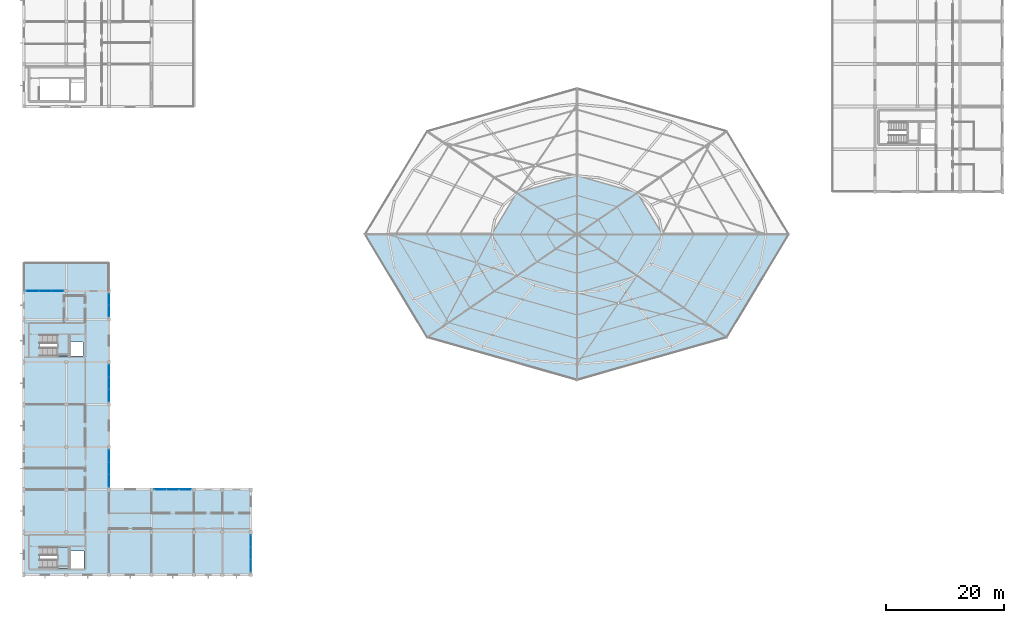
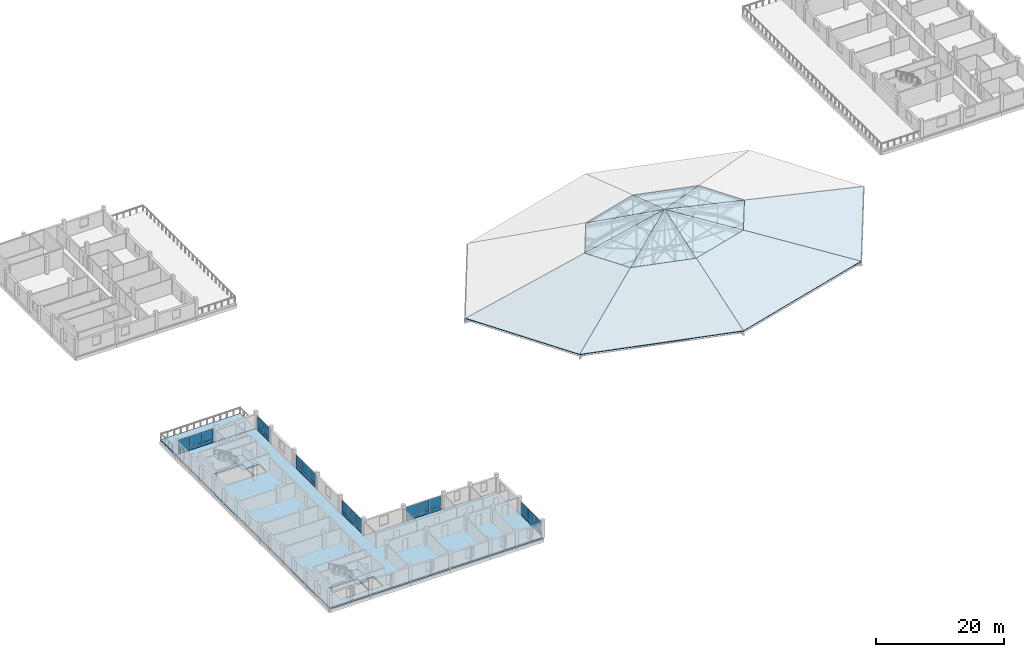
# One storey, part 45 of 66: 34 plates, 16 slabs, 8 elements without a shape of their own.
"""IFC4 building model written with IfcOpenShell, lengths in metres."""

from ifc_helpers import new_model, si_unit, direction, frame, origin, origin_2d, place, context, subcontext, project, spatial, polyline, rectangle, outline, extrude, material, layer, layer_set, type_object, element, aggregate, save


model = new_model("IFC4")

# Units and contexts
model_context = context("Model", 3, precision=1e-05, world=origin(), true_north=direction((0.0, 1.0)))
body_context = subcontext(model_context, "Body", "Model", "MODEL_VIEW")
ifc_project = project(units=[si_unit("LENGTHUNIT", "METRE"), si_unit("AREAUNIT", "SQUARE_METRE"), si_unit("VOLUMEUNIT", "CUBIC_METRE"), si_unit("PLANEANGLEUNIT", "RADIAN"), si_unit("MASSUNIT", "GRAM", prefix="KILO")], contexts=[model_context])

# Site, building, storey
site_placement = place(None, origin())
site = spatial("IfcSite", under=ifc_project, at=site_placement, CompositionType="ELEMENT")
building_placement = place(site_placement, origin())
building = spatial("IfcBuilding", under=site, at=building_placement, Name="Zornivar Specialist Clinic", CompositionType="ELEMENT")
storey_placement = place(building_placement, frame((0.0, 0.0, 16.0)))
storey = spatial("IfcBuildingStorey", under=building, at=storey_placement, Name="L04", CompositionType="ELEMENT", Elevation=16.0)

# Curtain wall, plates
ifc_material_1 = material(Name="Aluminium and Low-E Glass Curtain Wall", Category="aluminium")
curtain_wall_type = type_object("IfcCurtainWallType", Name="CW-REVAK-COURT", PredefinedType="NOTDEFINED", material=ifc_material_1)
curtain_wall_1_placement = place(storey_placement, origin())
curtain_wall_1 = element("IfcCurtainWall", 1, at=curtain_wall_1_placement, inside=storey, type_object=curtain_wall_type, Name="cw:V2:L04:06", PredefinedType="NOTDEFINED")
ifc_material_2 = material(Name="Insulated Limestone-Faced Spandrel Panel", Category="masonry")
ifc_layer_1 = layer(ifc_material_2, 0.05810546875)
ifc_layer_set_1 = layer_set([ifc_layer_1], Name="Insulated Limestone-Faced Spandrel Panel")
plate_type_1 = type_object("IfcPlateType", Name="CWP-SPN-D", PredefinedType="CURTAIN_PANEL", material=ifc_layer_set_1)
plate_1_placement = place(storey_placement, frame((38.39990234375, 1.52001953125, 0.02978515625), z_axis=(0.0, 0.0, 1.0), x_axis=(0.0, 1.0, 0.0)))
plate_1 = element("IfcPlate", 2, at=plate_1_placement, type_object=plate_type_1, Name="cw:V2:L04:06:spn:0", PredefinedType="CURTAIN_PANEL", context=body_context, shape_type="SweptSolid", body=[
    extrude(rectangle(XDim=2.010009765625, YDim=0.05810546875, at=origin_2d()), origin(), (0.0, 0.0, 1.0), 0.657958984375),
])
plate_2_placement = place(storey_placement, frame((38.39990234375, 3.60009765625, 0.02978515625), z_axis=(0.0, 0.0, 1.0), x_axis=(0.0, 1.0, 0.0)))
plate_2 = element("IfcPlate", 3, at=plate_2_placement, type_object=plate_type_1, Name="cw:V2:L04:06:spn:1", PredefinedType="CURTAIN_PANEL", context=body_context, shape_type="SweptSolid", body=[
    extrude(rectangle(XDim=2.010009765625, YDim=0.05810546875, at=origin_2d()), origin(), (0.0, 0.0, 1.0), 0.657958984375),
])
plate_3_placement = place(storey_placement, frame((38.39990234375, 5.679931640625, 0.02978515625), z_axis=(0.0, 0.0, 1.0), x_axis=(0.0, 1.0, 0.0)))
plate_3 = element("IfcPlate", 4, at=plate_3_placement, type_object=plate_type_1, Name="cw:V2:L04:06:spn:2", PredefinedType="CURTAIN_PANEL", context=body_context, shape_type="SweptSolid", body=[
    extrude(rectangle(XDim=2.010009765625, YDim=0.05810546875, at=origin_2d()), origin(), (0.0, 0.0, 1.0), 0.657958984375),
])

curtain_wall_2_placement = place(storey_placement, origin())
curtain_wall_2 = element("IfcCurtainWall", 5, at=curtain_wall_2_placement, inside=storey, type_object=curtain_wall_type, Name="cw:V2:L04:10", PredefinedType="NOTDEFINED")
plate_4_placement = place(storey_placement, frame((27.280029296875, 14.39990234375, 0.02978515625), z_axis=(0.0, 0.0, 1.0), x_axis=(-1.0, 0.0, 0.0)))
plate_4 = element("IfcPlate", 6, at=plate_4_placement, type_object=plate_type_1, Name="cw:V2:L04:10:spn:0", PredefinedType="CURTAIN_PANEL", context=body_context, shape_type="SweptSolid", body=[
    extrude(rectangle(XDim=2.010009765625, YDim=0.05810546875, at=origin_2d()), origin(), (0.0, 0.0, 1.0), 0.657958984375),
])
plate_5_placement = place(storey_placement, frame((25.199951171875, 14.39990234375, 0.02978515625), z_axis=(0.0, 0.0, 1.0), x_axis=(-1.0, 0.0, 0.0)))
plate_5 = element("IfcPlate", 7, at=plate_5_placement, type_object=plate_type_1, Name="cw:V2:L04:10:spn:1", PredefinedType="CURTAIN_PANEL", context=body_context, shape_type="SweptSolid", body=[
    extrude(rectangle(XDim=2.010009765625, YDim=0.05810546875, at=origin_2d()), origin(), (0.0, 0.0, 1.0), 0.657958984375),
])
plate_6_placement = place(storey_placement, frame((23.1201171875, 14.39990234375, 0.02978515625), z_axis=(0.0, 0.0, 1.0), x_axis=(-1.0, 0.0, 0.0)))
plate_6 = element("IfcPlate", 8, at=plate_6_placement, type_object=plate_type_1, Name="cw:V2:L04:10:spn:2", PredefinedType="CURTAIN_PANEL", context=body_context, shape_type="SweptSolid", body=[
    extrude(rectangle(XDim=2.010009765625, YDim=0.05810546875, at=origin_2d()), origin(), (0.0, 0.0, 1.0), 0.657958984375),
])

curtain_wall_3_placement = place(storey_placement, origin())
curtain_wall_3 = element("IfcCurtainWall", 9, at=curtain_wall_3_placement, inside=storey, type_object=curtain_wall_type, Name="cw:V2:L04:12", PredefinedType="NOTDEFINED")
plate_7_placement = place(storey_placement, frame((14.39990234375, 15.919921875, 0.02978515625), z_axis=(0.0, 0.0, 1.0), x_axis=(0.0, 1.0, 0.0)))
plate_7 = element("IfcPlate", 10, at=plate_7_placement, type_object=plate_type_1, Name="cw:V2:L04:12:spn:0", PredefinedType="CURTAIN_PANEL", context=body_context, shape_type="SweptSolid", body=[
    extrude(rectangle(XDim=2.010009765625, YDim=0.05810546875, at=origin_2d()), origin(), (0.0, 0.0, 1.0), 0.657958984375),
])
plate_8_placement = place(storey_placement, frame((14.39990234375, 18.0, 0.02978515625), z_axis=(0.0, 0.0, 1.0), x_axis=(0.0, 1.0, 0.0)))
plate_8 = element("IfcPlate", 11, at=plate_8_placement, type_object=plate_type_1, Name="cw:V2:L04:12:spn:1", PredefinedType="CURTAIN_PANEL", context=body_context, shape_type="SweptSolid", body=[
    extrude(rectangle(XDim=2.010009765625, YDim=0.05810546875, at=origin_2d()), origin(), (0.0, 0.0, 1.0), 0.657958984375),
])
plate_9_placement = place(storey_placement, frame((14.39990234375, 20.080078125, 0.02978515625), z_axis=(0.0, 0.0, 1.0), x_axis=(0.0, 1.0, 0.0)))
plate_9 = element("IfcPlate", 12, at=plate_9_placement, type_object=plate_type_1, Name="cw:V2:L04:12:spn:2", PredefinedType="CURTAIN_PANEL", context=body_context, shape_type="SweptSolid", body=[
    extrude(rectangle(XDim=2.010009765625, YDim=0.05810546875, at=origin_2d()), origin(), (0.0, 0.0, 1.0), 0.657958984375),
])

curtain_wall_4_placement = place(storey_placement, origin())
curtain_wall_4 = element("IfcCurtainWall", 13, at=curtain_wall_4_placement, inside=storey, type_object=curtain_wall_type, Name="cw:V2:L04:14", PredefinedType="NOTDEFINED")
plate_10_placement = place(storey_placement, frame((14.39990234375, 30.320068359375, 0.02978515625), z_axis=(0.0, 0.0, 1.0), x_axis=(0.0, 1.0, 0.0)))
plate_10 = element("IfcPlate", 14, at=plate_10_placement, type_object=plate_type_1, Name="cw:V2:L04:14:spn:0", PredefinedType="CURTAIN_PANEL", context=body_context, shape_type="SweptSolid", body=[
    extrude(rectangle(XDim=2.010009765625, YDim=0.05810546875, at=origin_2d()), origin(), (0.0, 0.0, 1.0), 0.657958984375),
])
plate_11_placement = place(storey_placement, frame((14.39990234375, 32.39990234375, 0.02978515625), z_axis=(0.0, 0.0, 1.0), x_axis=(0.0, 1.0, 0.0)))
plate_11 = element("IfcPlate", 15, at=plate_11_placement, type_object=plate_type_1, Name="cw:V2:L04:14:spn:1", PredefinedType="CURTAIN_PANEL", context=body_context, shape_type="SweptSolid", body=[
    extrude(rectangle(XDim=2.010009765625, YDim=0.05810546875, at=origin_2d()), origin(), (0.0, 0.0, 1.0), 0.657958984375),
])
plate_12_placement = place(storey_placement, frame((14.39990234375, 34.47998046875, 0.02978515625), z_axis=(0.0, 0.0, 1.0), x_axis=(0.0, 1.0, 0.0)))
plate_12 = element("IfcPlate", 16, at=plate_12_placement, type_object=plate_type_1, Name="cw:V2:L04:14:spn:2", PredefinedType="CURTAIN_PANEL", context=body_context, shape_type="SweptSolid", body=[
    extrude(rectangle(XDim=2.010009765625, YDim=0.05810546875, at=origin_2d()), origin(), (0.0, 0.0, 1.0), 0.657958984375),
])

curtain_wall_5_placement = place(storey_placement, origin())
curtain_wall_5 = element("IfcCurtainWall", 17, at=curtain_wall_5_placement, inside=storey, type_object=curtain_wall_type, Name="cw:V2:L04:16", PredefinedType="NOTDEFINED")
plate_13_placement = place(storey_placement, frame((14.39990234375, 44.639892578125, 0.02978515625), z_axis=(0.0, 0.0, 1.0), x_axis=(0.0, 1.0, 0.0)))
plate_13 = element("IfcPlate", 18, at=plate_13_placement, type_object=plate_type_1, Name="cw:V2:L04:16:spn:0", PredefinedType="CURTAIN_PANEL", context=body_context, shape_type="SweptSolid", body=[
    extrude(rectangle(XDim=1.85009765625, YDim=0.05810546875, at=origin_2d()), origin(), (0.0, 0.0, 1.0), 0.657958984375),
])
plate_14_placement = place(storey_placement, frame((14.39990234375, 46.56005859375, 0.02978515625), z_axis=(0.0, 0.0, 1.0), x_axis=(0.0, 1.0, 0.0)))
plate_14 = element("IfcPlate", 19, at=plate_14_placement, type_object=plate_type_1, Name="cw:V2:L04:16:spn:1", PredefinedType="CURTAIN_PANEL", context=body_context, shape_type="SweptSolid", body=[
    extrude(rectangle(XDim=1.85009765625, YDim=0.05810546875, at=origin_2d()), origin(), (0.0, 0.0, 1.0), 0.657958984375),
])

curtain_wall_6_placement = place(storey_placement, origin())
curtain_wall_6 = element("IfcCurtainWall", 20, at=curtain_wall_6_placement, inside=storey, type_object=curtain_wall_type, Name="cw:V2:L04:18", PredefinedType="NOTDEFINED")
plate_15_placement = place(storey_placement, frame((5.679931640625, 48.0, 0.02978515625), z_axis=(0.0, 0.0, 1.0), x_axis=(-1.0, 0.0, 0.0)))
plate_15 = element("IfcPlate", 21, at=plate_15_placement, type_object=plate_type_1, Name="cw:V2:L04:18:spn:0", PredefinedType="CURTAIN_PANEL", context=body_context, shape_type="SweptSolid", body=[
    extrude(rectangle(XDim=2.010009765625, YDim=0.05810546875, at=origin_2d()), origin(), (0.0, 0.0, 1.0), 0.657958984375),
])
plate_16_placement = place(storey_placement, frame((3.60009765625, 48.0, 0.02978515625), z_axis=(0.0, 0.0, 1.0), x_axis=(-1.0, 0.0, 0.0)))
plate_16 = element("IfcPlate", 22, at=plate_16_placement, type_object=plate_type_1, Name="cw:V2:L04:18:spn:1", PredefinedType="CURTAIN_PANEL", context=body_context, shape_type="SweptSolid", body=[
    extrude(rectangle(XDim=2.010009765625, YDim=0.05810546875, at=origin_2d()), origin(), (0.0, 0.0, 1.0), 0.657958984375),
])
plate_17_placement = place(storey_placement, frame((1.52001953125, 48.0, 0.02978515625), z_axis=(0.0, 0.0, 1.0), x_axis=(-1.0, 0.0, 0.0)))
plate_17 = element("IfcPlate", 23, at=plate_17_placement, type_object=plate_type_1, Name="cw:V2:L04:18:spn:2", PredefinedType="CURTAIN_PANEL", context=body_context, shape_type="SweptSolid", body=[
    extrude(rectangle(XDim=2.010009765625, YDim=0.05810546875, at=origin_2d()), origin(), (0.0, 0.0, 1.0), 0.657958984375),
])

# Plate
ifc_material_3 = material(Name="Triple Low-E Vision Glass", Category="glass")
ifc_layer_2 = layer(ifc_material_3, 0.035888671875)
ifc_layer_set_2 = layer_set([ifc_layer_2], Name="Triple Low-E Vision Glass")
plate_type_2 = type_object("IfcPlateType", Name="CWP-VIS-F", PredefinedType="CURTAIN_PANEL", material=ifc_layer_set_2)
plate_18_placement = place(storey_placement, frame((38.39990234375, 1.52001953125, 0.75244140625), z_axis=(0.0, 0.0, 1.0), x_axis=(0.0, 1.0, 0.0)))
plate_18 = element("IfcPlate", 24, at=plate_18_placement, type_object=plate_type_2, Name="cw:V2:L04:06:vis:0", PredefinedType="CURTAIN_PANEL", context=body_context, shape_type="SweptSolid", body=[
    extrude(rectangle(XDim=2.010009765625, YDim=0.035888671875, at=origin_2d()), origin(), (0.0, 0.0, 1.0), 1.906982421875),
])

plate_19_placement = place(storey_placement, frame((38.39990234375, 3.60009765625, 0.75244140625), z_axis=(0.0, 0.0, 1.0), x_axis=(0.0, 1.0, 0.0)))
plate_19 = element("IfcPlate", 25, at=plate_19_placement, type_object=plate_type_2, Name="cw:V2:L04:06:vis:1", PredefinedType="CURTAIN_PANEL", context=body_context, shape_type="SweptSolid", body=[
    extrude(rectangle(XDim=2.010009765625, YDim=0.035888671875, at=origin_2d()), origin(), (0.0, 0.0, 1.0), 1.906982421875),
])

plate_20_placement = place(storey_placement, frame((38.39990234375, 5.679931640625, 0.75244140625), z_axis=(0.0, 0.0, 1.0), x_axis=(0.0, 1.0, 0.0)))
plate_20 = element("IfcPlate", 26, at=plate_20_placement, type_object=plate_type_2, Name="cw:V2:L04:06:vis:2", PredefinedType="CURTAIN_PANEL", context=body_context, shape_type="SweptSolid", body=[
    extrude(rectangle(XDim=2.010009765625, YDim=0.035888671875, at=origin_2d()), origin(), (0.0, 0.0, 1.0), 1.906982421875),
])

aggregate(curtain_wall_1, [plate_1, plate_18, plate_2, plate_19, plate_3, plate_20])

plate_21_placement = place(storey_placement, frame((14.39990234375, 15.919921875, 0.75244140625), z_axis=(0.0, 0.0, 1.0), x_axis=(0.0, 1.0, 0.0)))
plate_21 = element("IfcPlate", 27, at=plate_21_placement, type_object=plate_type_2, Name="cw:V2:L04:12:vis:0", PredefinedType="CURTAIN_PANEL", context=body_context, shape_type="SweptSolid", body=[
    extrude(rectangle(XDim=2.010009765625, YDim=0.035888671875, at=origin_2d()), origin(), (0.0, 0.0, 1.0), 1.906982421875),
])

plate_22_placement = place(storey_placement, frame((14.39990234375, 18.0, 0.75244140625), z_axis=(0.0, 0.0, 1.0), x_axis=(0.0, 1.0, 0.0)))
plate_22 = element("IfcPlate", 28, at=plate_22_placement, type_object=plate_type_2, Name="cw:V2:L04:12:vis:1", PredefinedType="CURTAIN_PANEL", context=body_context, shape_type="SweptSolid", body=[
    extrude(rectangle(XDim=2.010009765625, YDim=0.035888671875, at=origin_2d()), origin(), (0.0, 0.0, 1.0), 1.906982421875),
])

plate_23_placement = place(storey_placement, frame((14.39990234375, 20.080078125, 0.75244140625), z_axis=(0.0, 0.0, 1.0), x_axis=(0.0, 1.0, 0.0)))
plate_23 = element("IfcPlate", 29, at=plate_23_placement, type_object=plate_type_2, Name="cw:V2:L04:12:vis:2", PredefinedType="CURTAIN_PANEL", context=body_context, shape_type="SweptSolid", body=[
    extrude(rectangle(XDim=2.010009765625, YDim=0.035888671875, at=origin_2d()), origin(), (0.0, 0.0, 1.0), 1.906982421875),
])

aggregate(curtain_wall_3, [plate_7, plate_21, plate_8, plate_22, plate_9, plate_23])

plate_24_placement = place(storey_placement, frame((14.39990234375, 44.639892578125, 0.75244140625), z_axis=(0.0, 0.0, 1.0), x_axis=(0.0, 1.0, 0.0)))
plate_24 = element("IfcPlate", 30, at=plate_24_placement, type_object=plate_type_2, Name="cw:V2:L04:16:vis:0", PredefinedType="CURTAIN_PANEL", context=body_context, shape_type="SweptSolid", body=[
    extrude(rectangle(XDim=1.85009765625, YDim=0.035888671875, at=origin_2d()), origin(), (0.0, 0.0, 1.0), 1.906982421875),
])

plate_25_placement = place(storey_placement, frame((14.39990234375, 46.56005859375, 0.75244140625), z_axis=(0.0, 0.0, 1.0), x_axis=(0.0, 1.0, 0.0)))
plate_25 = element("IfcPlate", 31, at=plate_25_placement, type_object=plate_type_2, Name="cw:V2:L04:16:vis:1", PredefinedType="CURTAIN_PANEL", context=body_context, shape_type="SweptSolid", body=[
    extrude(rectangle(XDim=1.85009765625, YDim=0.035888671875, at=origin_2d()), origin(), (0.0, 0.0, 1.0), 1.906982421875),
])

aggregate(curtain_wall_5, [plate_13, plate_24, plate_14, plate_25])

ifc_material_4 = material(Name="Triple Low-E Vision Glass", Category="glass")
ifc_layer_3 = layer(ifc_material_4, 0.035888671875)
ifc_layer_set_3 = layer_set([ifc_layer_3], Name="Triple Low-E Vision Glass")
plate_type_3 = type_object("IfcPlateType", Name="CWP-VIS-G", PredefinedType="CURTAIN_PANEL", material=ifc_layer_set_3)
plate_26_placement = place(storey_placement, frame((27.280029296875, 14.39990234375, 0.75244140625), z_axis=(0.0, 0.0, 1.0), x_axis=(-1.0, 0.0, 0.0)))
plate_26 = element("IfcPlate", 32, at=plate_26_placement, type_object=plate_type_3, Name="cw:V2:L04:10:vis:0", PredefinedType="CURTAIN_PANEL", context=body_context, shape_type="SweptSolid", body=[
    extrude(rectangle(XDim=2.010009765625, YDim=0.035888671875, at=origin_2d()), origin(), (0.0, 0.0, 1.0), 1.906982421875),
])

plate_27_placement = place(storey_placement, frame((25.199951171875, 14.39990234375, 0.75244140625), z_axis=(0.0, 0.0, 1.0), x_axis=(-1.0, 0.0, 0.0)))
plate_27 = element("IfcPlate", 33, at=plate_27_placement, type_object=plate_type_3, Name="cw:V2:L04:10:vis:1", PredefinedType="CURTAIN_PANEL", context=body_context, shape_type="SweptSolid", body=[
    extrude(rectangle(XDim=2.010009765625, YDim=0.035888671875, at=origin_2d()), origin(), (0.0, 0.0, 1.0), 1.906982421875),
])

plate_28_placement = place(storey_placement, frame((23.1201171875, 14.39990234375, 0.75244140625), z_axis=(0.0, 0.0, 1.0), x_axis=(-1.0, 0.0, 0.0)))
plate_28 = element("IfcPlate", 34, at=plate_28_placement, type_object=plate_type_3, Name="cw:V2:L04:10:vis:2", PredefinedType="CURTAIN_PANEL", context=body_context, shape_type="SweptSolid", body=[
    extrude(rectangle(XDim=2.010009765625, YDim=0.035888671875, at=origin_2d()), origin(), (0.0, 0.0, 1.0), 1.906982421875),
])

aggregate(curtain_wall_2, [plate_4, plate_26, plate_5, plate_27, plate_6, plate_28])

plate_29_placement = place(storey_placement, frame((14.39990234375, 30.320068359375, 0.75244140625), z_axis=(0.0, 0.0, 1.0), x_axis=(0.0, 1.0, 0.0)))
plate_29 = element("IfcPlate", 35, at=plate_29_placement, type_object=plate_type_3, Name="cw:V2:L04:14:vis:0", PredefinedType="CURTAIN_PANEL", context=body_context, shape_type="SweptSolid", body=[
    extrude(rectangle(XDim=2.010009765625, YDim=0.035888671875, at=origin_2d()), origin(), (0.0, 0.0, 1.0), 1.906982421875),
])

plate_30_placement = place(storey_placement, frame((14.39990234375, 32.39990234375, 0.75244140625), z_axis=(0.0, 0.0, 1.0), x_axis=(0.0, 1.0, 0.0)))
plate_30 = element("IfcPlate", 36, at=plate_30_placement, type_object=plate_type_3, Name="cw:V2:L04:14:vis:1", PredefinedType="CURTAIN_PANEL", context=body_context, shape_type="SweptSolid", body=[
    extrude(rectangle(XDim=2.010009765625, YDim=0.035888671875, at=origin_2d()), origin(), (0.0, 0.0, 1.0), 1.906982421875),
])

plate_31_placement = place(storey_placement, frame((14.39990234375, 34.47998046875, 0.75244140625), z_axis=(0.0, 0.0, 1.0), x_axis=(0.0, 1.0, 0.0)))
plate_31 = element("IfcPlate", 37, at=plate_31_placement, type_object=plate_type_3, Name="cw:V2:L04:14:vis:2", PredefinedType="CURTAIN_PANEL", context=body_context, shape_type="SweptSolid", body=[
    extrude(rectangle(XDim=2.010009765625, YDim=0.035888671875, at=origin_2d()), origin(), (0.0, 0.0, 1.0), 1.906982421875),
])

aggregate(curtain_wall_4, [plate_10, plate_29, plate_11, plate_30, plate_12, plate_31])

plate_32_placement = place(storey_placement, frame((5.679931640625, 48.0, 0.75244140625), z_axis=(0.0, 0.0, 1.0), x_axis=(-1.0, 0.0, 0.0)))
plate_32 = element("IfcPlate", 38, at=plate_32_placement, type_object=plate_type_3, Name="cw:V2:L04:18:vis:0", PredefinedType="CURTAIN_PANEL", context=body_context, shape_type="SweptSolid", body=[
    extrude(rectangle(XDim=2.010009765625, YDim=0.035888671875, at=origin_2d()), origin(), (0.0, 0.0, 1.0), 1.906982421875),
])

plate_33_placement = place(storey_placement, frame((3.60009765625, 48.0, 0.75244140625), z_axis=(0.0, 0.0, 1.0), x_axis=(-1.0, 0.0, 0.0)))
plate_33 = element("IfcPlate", 39, at=plate_33_placement, type_object=plate_type_3, Name="cw:V2:L04:18:vis:1", PredefinedType="CURTAIN_PANEL", context=body_context, shape_type="SweptSolid", body=[
    extrude(rectangle(XDim=2.010009765625, YDim=0.035888671875, at=origin_2d()), origin(), (0.0, 0.0, 1.0), 1.906982421875),
])

plate_34_placement = place(storey_placement, frame((1.52001953125, 48.0, 0.75244140625), z_axis=(0.0, 0.0, 1.0), x_axis=(-1.0, 0.0, 0.0)))
plate_34 = element("IfcPlate", 40, at=plate_34_placement, type_object=plate_type_3, Name="cw:V2:L04:18:vis:2", PredefinedType="CURTAIN_PANEL", context=body_context, shape_type="SweptSolid", body=[
    extrude(rectangle(XDim=2.010009765625, YDim=0.035888671875, at=origin_2d()), origin(), (0.0, 0.0, 1.0), 1.906982421875),
])

aggregate(curtain_wall_6, [plate_15, plate_32, plate_16, plate_33, plate_17, plate_34])

# Slabs
ifc_material_5 = material(Name="Concrete C30/37", Category="concrete")
ifc_layer_4 = layer(ifc_material_5, 0.280029296875)
ifc_layer_set_4 = layer_set([ifc_layer_4], Name="Concrete C30/37")
slab_type_1 = type_object("IfcSlabType", Name="SLB-EXT-TERR-280", PredefinedType="FLOOR", material=ifc_layer_set_4)
slab_1_placement = place(storey_placement, frame((0.0, 0.0, -0.280029296875)))
element("IfcSlab", 41, at=slab_1_placement, inside=storey, type_object=slab_type_1, Name="slab:V2:L04:terr:0", PredefinedType="FLOOR", context=body_context, shape_type="SweptSolid", body=[
    extrude(outline(polyline([(0.0, 48.0), (14.39990234375, 48.0), (14.39990234375, 52.800048828125), (0.0, 52.800048828125), (0.0, 48.0)])), origin(), (0.0, 0.0, 1.0), 0.280029296875),
])
ifc_material_6 = material(Name="Concrete C30/37", Category="concrete")
ifc_layer_5 = layer(ifc_material_6, 0.280029296875)
ifc_layer_set_5 = layer_set([ifc_layer_5], Name="Concrete C30/37")
slab_type_2 = type_object("IfcSlabType", Name="SLB-FLR-280", PredefinedType="FLOOR", material=ifc_layer_set_5)
slab_2_placement = place(storey_placement, frame((0.0, 0.0, -0.280029296875)))
element("IfcSlab", 42, at=slab_2_placement, inside=storey, type_object=slab_type_2, Name="slab:V2:L04:main", PredefinedType="FLOOR", context=body_context, shape_type="SweptSolid", body=[
    extrude(outline(polyline([(0.0, 0.0), (38.39990234375, 0.0), (38.39990234375, 14.39990234375), (14.39990234375, 14.39990234375), (14.39990234375, 48.0), (0.0, 48.0), (0.0, 0.0)]), holes=[polyline([(2.6201171875, 1.10009765625), (7.699951171875, 1.10009765625), (7.699951171875, 4.699951171875), (2.6201171875, 4.699951171875), (2.6201171875, 1.10009765625)]), polyline([(7.800048828125, 1.0), (10.199951171875, 1.0), (10.199951171875, 4.0), (7.800048828125, 4.0), (7.800048828125, 1.0)]), polyline([(2.6201171875, 37.0), (7.699951171875, 37.0), (7.699951171875, 40.60009765625), (2.6201171875, 40.60009765625), (2.6201171875, 37.0)]), polyline([(7.800048828125, 37.0), (10.0, 37.0), (10.0, 39.39990234375), (7.800048828125, 39.39990234375), (7.800048828125, 37.0)])]), origin(), (0.0, 0.0, 1.0), 0.280029296875),
])

# Stair, slab
ifc_material_7 = material(Name="Concrete C30/37", Category="concrete")
stair_type = type_object("IfcStairType", Name="STR-CORE-UPPER-3700", PredefinedType="HALF_TURN_STAIR", material=ifc_material_7)
stair_1_placement = place(storey_placement, origin())
stair_1 = element("IfcStair", 43, at=stair_1_placement, inside=storey, type_object=stair_type, Name="stair:C1:L04", PredefinedType="HALF_TURN_STAIR")
ifc_material_8 = material(Name="Concrete C30/37", Category="concrete")
ifc_layer_6 = layer(ifc_material_8, 0.179931640625)
ifc_layer_set_6 = layer_set([ifc_layer_6], Name="Concrete C30/37")
slab_type_3 = type_object("IfcSlabType", Name="SLB-LANDING-180", PredefinedType="LANDING", material=ifc_layer_set_6)
slab_3_placement = place(storey_placement, frame((0.0, 0.0, 1.669921875)))
slab_3 = element("IfcSlab", 44, at=slab_3_placement, type_object=slab_type_3, Name="stair:C1:L04:land", PredefinedType="LANDING", context=body_context, shape_type="SweptSolid", body=[
    extrude(outline(polyline([(5.659912109375, 1.080078125), (7.719970703125, 1.080078125), (7.719970703125, 4.719970703125), (5.659912109375, 4.719970703125), (5.659912109375, 1.080078125)])), origin(), (0.0, 0.0, 1.0), 0.18017578125),
])
aggregate(stair_1, [slab_3])

stair_2_placement = place(storey_placement, origin())
stair_2 = element("IfcStair", 45, at=stair_2_placement, inside=storey, type_object=stair_type, Name="stair:C2:L04", PredefinedType="HALF_TURN_STAIR")
slab_4_placement = place(storey_placement, frame((0.0, 0.0, 1.669921875)))
slab_4 = element("IfcSlab", 46, at=slab_4_placement, type_object=slab_type_3, Name="stair:C2:L04:land", PredefinedType="LANDING", context=body_context, shape_type="SweptSolid", body=[
    extrude(outline(polyline([(5.659912109375, 36.97998046875), (7.719970703125, 36.97998046875), (7.719970703125, 40.6201171875), (5.659912109375, 40.6201171875), (5.659912109375, 36.97998046875)])), origin(), (0.0, 0.0, 1.0), 0.18017578125),
])
aggregate(stair_2, [slab_4])

# Slabs
ifc_material_9 = material(Name="Concrete C30/37", Category="concrete")
ifc_layer_7 = layer(ifc_material_9, 0.199951171875)
ifc_layer_set_7 = layer_set([ifc_layer_7], Name="Concrete C30/37")
slab_type_4 = type_object("IfcSlabType", Name="SLB-ROOF-PITCH-200", PredefinedType="ROOF", material=ifc_layer_set_7)
slab_5_placement = place(storey_placement, frame((108.0, 57.60009765625, 4.9052734375), z_axis=(0.221047906832, 0.133197708089, 0.96612431573), x_axis=(-0.516115885834, 0.856518763595, 0.0)))
element("IfcSlab", 47, at=slab_5_placement, inside=storey, type_object=slab_type_4, Name="slab:V1:L04:pitch:top:0", PredefinedType="ROOF", context=body_context, shape_type="SweptSolid", body=[
    extrude(outline(polyline([(0.0, 0.0), (8.172617223960234, 0.0), (7.432018354065082, 12.76625207599172), (0.0, 0.0)])), origin(), (0.0, 0.0, -1.0), 0.199951171875),
])
slab_6_placement = place(storey_placement, frame((103.781982421875, 64.60009765625, 4.9052734375), z_axis=(0.0895733401, 0.314502117263, 0.945021182292), x_axis=(-0.961753349851, 0.273916947357, 0.0)))
element("IfcSlab", 48, at=slab_6_placement, inside=storey, type_object=slab_type_4, Name="slab:V1:L04:pitch:top:1", PredefinedType="ROOF", context=body_context, shape_type="SweptSolid", body=[
    extrude(outline(polyline([(0.0, 0.0), (10.586794178775424, 0.0), (7.87504314964023, 10.075186060076378), (0.0, 0.0)])), origin(), (0.0, 0.0, -1.0), 0.199951171875),
])
slab_7_placement = place(storey_placement, frame((93.60009765625, 67.5, 4.9052734375), z_axis=(-0.089571209598, 0.314502177766, 0.945021364093), x_axis=(-0.961755080062, -0.27391087232, 0.0)))
element("IfcSlab", 49, at=slab_7_placement, inside=storey, type_object=slab_type_4, Name="slab:V1:L04:pitch:top:2", PredefinedType="ROOF", context=body_context, shape_type="SweptSolid", body=[
    extrude(outline(polyline([(0.0, 0.0), (10.587028982050564, 0.0), (2.7116908868588223, 10.075202247265308), (0.0, 0.0)])), origin(), (0.0, 0.0, -1.0), 0.199951171875),
])
slab_8_placement = place(storey_placement, frame((83.41796875, 64.60009765625, 4.9052734375), z_axis=(-0.22104440878, 0.133195600254, 0.966125406674), x_axis=(-0.516115885834, -0.856518763595, 0.0)))
element("IfcSlab", 50, at=slab_8_placement, inside=storey, type_object=slab_type_4, Name="slab:V1:L04:pitch:top:3", PredefinedType="ROOF", context=body_context, shape_type="SweptSolid", body=[
    extrude(outline(polyline([(0.0, 0.0), (8.172617223960234, 4.440892098500626e-16), (0.7404728650402115, 12.76645410335295), (0.0, 0.0)])), origin(), (0.0, 0.0, -1.0), 0.199951171875),
])
slab_9_placement = place(storey_placement, frame((57.760009765625, 57.60009765625, 0.0), z_axis=(-0.221039730723, -0.133186839357, 0.966127684762), x_axis=(0.516092658958, -0.856532759073, -1.975539e-06)))
element("IfcSlab", 51, at=slab_9_placement, inside=storey, type_object=slab_type_4, Name="slab:V1:L04:pitch:low:4", PredefinedType="ROOF", context=body_context, shape_type="SweptSolid", body=[
    extrude(outline(polyline([(0.0, 0.0), (20.341417159780683, 0.0), (19.237603898630745, 19.008081517604566), (11.064986677691369, 19.007863236588666), (0.0, 0.0)])), origin(), (0.0, 0.0, -1.0), 0.199951171875),
])
slab_10_placement = place(storey_placement, frame((79.199951171875, 57.60009765625, 4.9052734375), z_axis=(-0.22104440878, -0.133195600254, 0.966125406674), x_axis=(0.516115885834, -0.856518763595, 0.0)))
element("IfcSlab", 52, at=slab_10_placement, inside=storey, type_object=slab_type_4, Name="slab:V1:L04:pitch:top:4", PredefinedType="ROOF", context=body_context, shape_type="SweptSolid", body=[
    extrude(outline(polyline([(0.0, 0.0), (8.172617223960234, -4.440892098500626e-16), (7.432144358920023, 12.76645410335295), (0.0, 0.0)])), origin(), (0.0, 0.0, -1.0), 0.199951171875),
])
slab_11_placement = place(storey_placement, frame((68.258056640625, 40.177001953125, 0.0), z_axis=(-0.089564788314, -0.314486092017, 0.94502732586), x_axis=(0.961759274096, -0.273896145788, 3.4256e-06)))
element("IfcSlab", 53, at=slab_11_placement, inside=storey, type_object=slab_type_4, Name="slab:V1:L04:pitch:low:5", PredefinedType="ROOF", context=body_context, shape_type="SweptSolid", body=[
    extrude(outline(polyline([(0.0, 0.0), (26.349662689486376, -8.881784197001252e-16), (22.312452978839147, 15.000998545071798), (11.725357128915606, 15.001385498925949), (0.0, 0.0)])), origin(), (0.0, 0.0, -1.0), 0.199951171875),
])
slab_12_placement = place(storey_placement, frame((83.41796875, 50.60009765625, 4.9052734375), z_axis=(-0.089576717203, -0.314495038949, 0.945023217816), x_axis=(0.961749004956, -0.273932202318, 0.0)))
element("IfcSlab", 54, at=slab_12_placement, inside=storey, type_object=slab_type_4, Name="slab:V1:L04:pitch:top:5", PredefinedType="ROOF", context=body_context, shape_type="SweptSolid", body=[
    extrude(outline(polyline([(0.0, 0.0), (10.587095857425894, -4.440892098500626e-16), (7.8751269276916, 10.075367303955968), (0.0, 0.0)])), origin(), (0.0, 0.0, -1.0), 0.199951171875),
])
slab_13_placement = place(storey_placement, frame((93.60009765625, 32.9599609375, 0.0), z_axis=(0.089565848507, -0.314485491964, 0.945027425065), x_axis=(0.961758547285, 0.273898697897, -3.760304e-06)))
element("IfcSlab", 55, at=slab_13_placement, inside=storey, type_object=slab_type_4, Name="slab:V1:L04:pitch:low:6", PredefinedType="ROOF", context=body_context, shape_type="SweptSolid", body=[
    extrude(outline(polyline([(0.0, 0.0), (26.349427884946202, -1.7763568394002505e-15), (14.624106733479604, 15.001413619425936), (4.037245686885658, 15.000988862699817), (0.0, 0.0)])), origin(), (0.0, 0.0, -1.0), 0.199951171875),
])
slab_14_placement = place(storey_placement, frame((93.60009765625, 47.699951171875, 4.9052734375), z_axis=(0.089578847833, -0.31449497844, 0.945023035993), x_axis=(0.961747274487, 0.273938277752, 0.0)))
element("IfcSlab", 56, at=slab_14_placement, inside=storey, type_object=slab_type_4, Name="slab:V1:L04:pitch:top:6", PredefinedType="ROOF", context=body_context, shape_type="SweptSolid", body=[
    extrude(outline(polyline([(0.0, 0.0), (10.586861055633968, 0.0), (2.712029077417446, 10.075351113917138), (0.0, 0.0)])), origin(), (0.0, 0.0, -1.0), 0.199951171875),
])
slab_15_placement = place(storey_placement, frame((118.94189453125, 40.177001953125, 0.0), z_axis=(0.221039730723, -0.133186839357, 0.966127684762), x_axis=(0.516092658958, 0.856532759073, 1.975539e-06)))
element("IfcSlab", 57, at=slab_15_placement, inside=storey, type_object=slab_type_4, Name="slab:V1:L04:pitch:low:7", PredefinedType="ROOF", context=body_context, shape_type="SweptSolid", body=[
    extrude(outline(polyline([(0.0, 0.0), (20.341417159780683, 0.0), (9.276430482089314, 19.00786323658867), (1.1038132611499414, 19.008081517604566), (0.0, 0.0)])), origin(), (0.0, 0.0, -1.0), 0.199951171875),
])
slab_16_placement = place(storey_placement, frame((103.781982421875, 50.60009765625, 4.9052734375), z_axis=(0.221047906832, -0.133197708089, 0.96612431573), x_axis=(0.516115885834, 0.856518763595, 0.0)))
element("IfcSlab", 58, at=slab_16_placement, inside=storey, type_object=slab_type_4, Name="slab:V1:L04:pitch:top:7", PredefinedType="ROOF", context=body_context, shape_type="SweptSolid", body=[
    extrude(outline(polyline([(0.0, 0.0), (8.172617223960234, 0.0), (0.7405988698951518, 12.76625207599172), (0.0, 0.0)])), origin(), (0.0, 0.0, -1.0), 0.199951171875),
])

save(model, "model.ifc")
